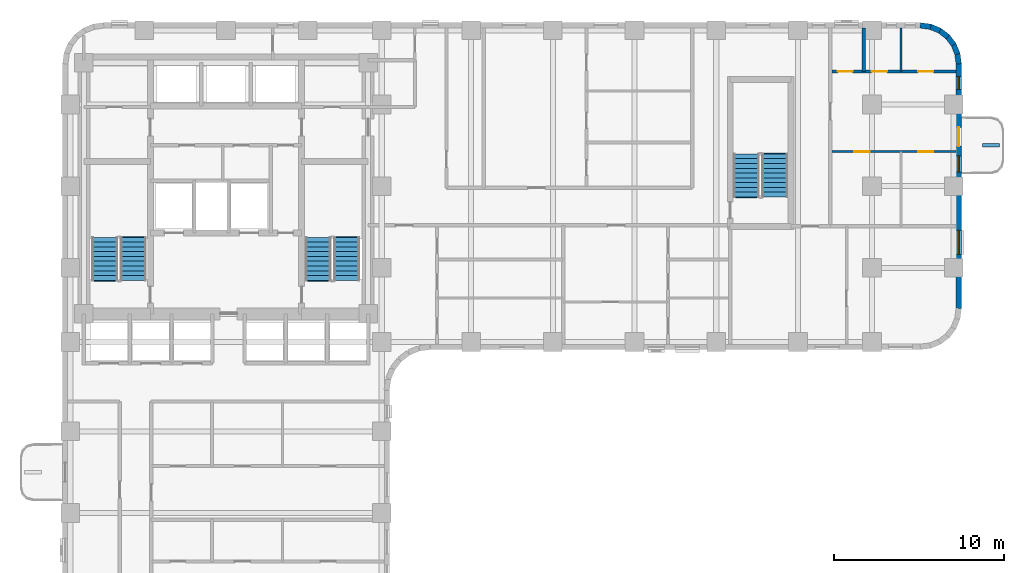
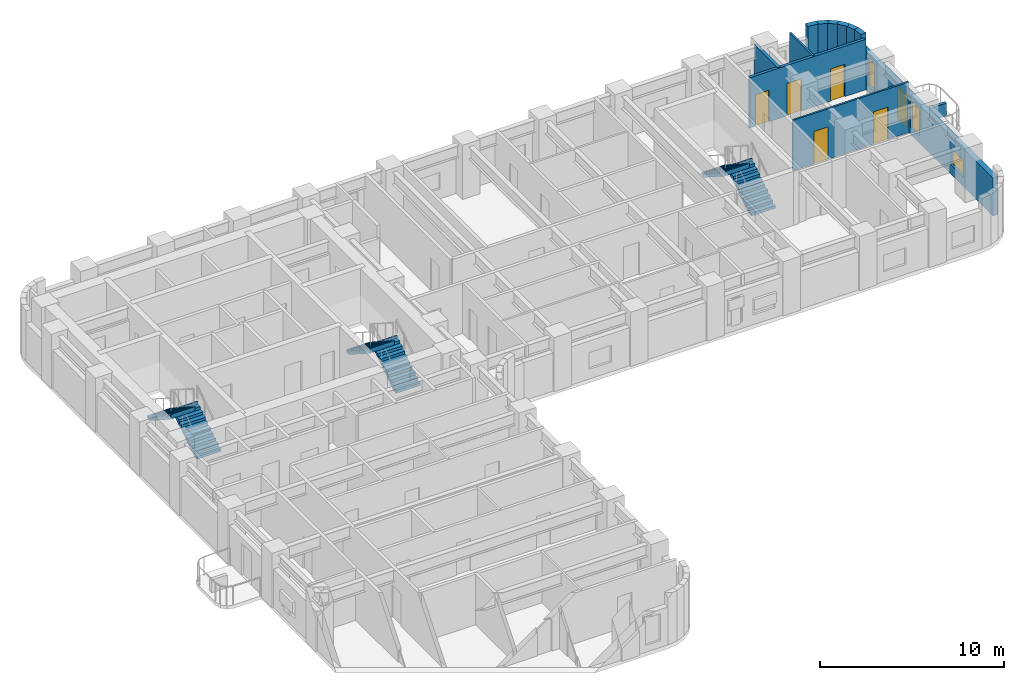
# One storey, part 7 of 10: 12 walls, 6 doors, 6 stair flights, 3 windows, 9 openings, 3 elements without a shape of their own.
"""IFC4 building model written with IfcOpenShell, lengths in metres."""

from ifc_helpers import new_model, si_unit, direction, frame, frame_2d, origin, place, context, subcontext, project, spatial, polyline, rectangle, outline, extrude, material, layer, layer_set, type_object, element, fill, aggregate, save


model = new_model("IFC4")

# Units and contexts
model_context = context("Model", 3, precision=1e-05, world=origin(), true_north=direction((0.0, 1.0)))
body_context = subcontext(model_context, "Body", "Model", "MODEL_VIEW")
ifc_project = project(units=[si_unit("LENGTHUNIT", "METRE"), si_unit("AREAUNIT", "SQUARE_METRE"), si_unit("VOLUMEUNIT", "CUBIC_METRE"), si_unit("PLANEANGLEUNIT", "RADIAN"), si_unit("MASSUNIT", "GRAM", prefix="KILO")], contexts=[model_context])

# Site, building, storey
site_placement = place(None, origin())
site = spatial("IfcSite", under=ifc_project, at=site_placement, CompositionType="ELEMENT")
building_placement = place(site_placement, origin())
building = spatial("IfcBuilding", under=site, at=building_placement, Name="Orvandelia Arch Residences", CompositionType="ELEMENT")
storey_placement = place(building_placement, frame((0.0, 0.0, 68.199951171875)))
storey = spatial("IfcBuildingStorey", under=building, at=storey_placement, Name="L17", CompositionType="ELEMENT", Elevation=68.199951171875)

# Walls
ifc_material_1 = material(Name="Precast concrete C40/50", Category="concrete")
ifc_layer_1 = layer(ifc_material_1, 0.320068359375, Name="Precast concrete C40/50", Category="concrete")
ifc_layer_set_1 = layer_set([ifc_layer_1], Name="Precast concrete C40/50")
wall_type_1 = type_object("IfcWallType", Name="WL-EXT-STONE-320", PredefinedType="STANDARD", material=ifc_layer_set_1)
for number, where, z_axis, x_axis, name in (
    (1, (55.17919921875, 47.84130859375, 0.0), (0.0, 0.0, 1.0), (0.9914410257, -0.130555323746, 0.0), "Coral-Limestone Precast Facade Wall L17-008"),
    (2, (55.760009765625, 47.7705078125, 0.0), (0.0, 0.0, 1.0), (0.92389335771, -0.382650053678, 0.0), "Coral-Limestone Precast Facade Wall L17-009"),
):
    element("IfcWall", number, at=place(storey_placement, frame(where, z_axis=z_axis, x_axis=x_axis)), inside=storey, type_object=wall_type_1, Name=name, PredefinedType="STANDARD", context=body_context, shape_type="SweptSolid", body=[
        extrude(rectangle(XDim=0.62646484375, YDim=0.320068359375, at=frame_2d((0.313232421875, 0.0))), origin(), (0.0, 0.0, 1.0), 3.35009765625),
    ])
wall_1_placement = place(storey_placement, frame((56.302490234375, 47.551513671875, 0.0), z_axis=(0.0, 0.0, 1.0), x_axis=(0.793549926411, -0.608505147302, 0.0)))
element("IfcWall", 3, at=wall_1_placement, inside=storey, type_object=wall_type_1, Name="Coral-Limestone Precast Facade Wall L17-010", PredefinedType="STANDARD", context=body_context, shape_type="SweptSolid", body=[
    extrude(rectangle(XDim=0.626708984375, YDim=0.320068359375, at=frame_2d((0.3134765625, 0.0))), origin(), (0.0, 0.0, 1.0), 3.35009765625),
])
for number, where, z_axis, x_axis, name in (
    (4, (56.770263671875, 47.19970703125, 0.0), (0.0, 0.0, 1.0), (0.608693302629, -0.793405610854, 0.0), "Coral-Limestone Precast Facade Wall L17-011"),
    (5, (57.130615234375, 46.73876953125, 0.0), (0.0, 0.0, 1.0), (0.382650053678, -0.92389335771, 0.0), "Coral-Limestone Precast Facade Wall L17-012"),
    (6, (57.359619140625, 46.2001953125, 0.0), (0.0, 0.0, 1.0), (0.130555323746, -0.9914410257, 0.0), "Coral-Limestone Precast Facade Wall L17-013"),
):
    element("IfcWall", number, at=place(storey_placement, frame(where, z_axis=z_axis, x_axis=x_axis)), inside=storey, type_object=wall_type_1, Name=name, PredefinedType="STANDARD", context=body_context, shape_type="SweptSolid", body=[
        extrude(rectangle(XDim=0.62646484375, YDim=0.320068359375, at=frame_2d((0.313232421875, 0.0))), origin(), (0.0, 0.0, 1.0), 3.35009765625),
    ])

# Wall, openings, door, windows
wall_2_placement = place(storey_placement, frame((57.43994140625, 45.60009765625, 0.0), z_axis=(0.0, 0.0, 1.0), x_axis=(0.0, -1.0, 0.0)))
wall_2 = element("IfcWall", 7, at=wall_2_placement, inside=storey, type_object=wall_type_1, Name="Coral-Limestone Precast Facade Wall L17-014", PredefinedType="STANDARD", context=body_context, shape_type="SweptSolid", body=[
    extrude(rectangle(XDim=14.400146484375, YDim=0.320068359375, at=frame_2d((7.2001953125, 0.0))), origin(), (0.0, 0.0, 1.0), 2.530029296875),
])
opening_1_placement = place(wall_2_placement, frame((3.75, 0.0, 0.0)))
opening_1 = element("IfcOpeningElement", 8, at=opening_1_placement, cuts=wall_2, Name="Opening BD1", PredefinedType="OPENING", context=body_context, shape_type="SweptSolid", body=[
    extrude(rectangle(XDim=1.10009765625, YDim=2.14990234375, at=frame_2d((0.550048828125, 1.074951171875))), frame((0.0, 0.169921875, 0.0), z_axis=(0.0, -1.0, 0.0), x_axis=(1.0, 0.0, 0.0)), (0.0, 0.0, 1.0), 0.340087890625),
])
opening_2_placement = place(wall_2_placement, frame((5.427978515625, 0.0, 0.449951171875)))
opening_2 = element("IfcOpeningElement", 9, at=opening_2_placement, cuts=wall_2, Name="Opening W4", PredefinedType="OPENING", context=body_context, shape_type="SweptSolid", body=[
    extrude(rectangle(XDim=0.949951171875, YDim=1.800048828125, at=frame_2d((0.47509765625, 0.89990234375))), frame((0.0, 0.169921875, 0.0), z_axis=(0.0, -1.0, 0.0), x_axis=(1.0, 0.0, 0.0)), (0.0, 0.0, 1.0), 0.340087890625),
])
opening_3_placement = place(wall_2_placement, frame((9.800048828125, 0.0, 0.64990234375)))
opening_3 = element("IfcOpeningElement", 10, at=opening_3_placement, cuts=wall_2, Name="Opening W10", PredefinedType="OPENING", context=body_context, shape_type="SweptSolid", body=[
    extrude(rectangle(XDim=1.39990234375, YDim=1.10009765625, at=frame_2d((0.699951171875, 0.550048828125))), frame((0.0, 0.169921875, 0.0), z_axis=(0.0, -1.0, 0.0), x_axis=(1.0, 0.0, 0.0)), (0.0, 0.0, 1.0), 0.340087890625),
])
opening_4_placement = place(wall_2_placement, frame((0.7705078125, 0.0, 0.449951171875)))
opening_4 = element("IfcOpeningElement", 11, at=opening_4_placement, cuts=wall_2, Name="Opening W11", PredefinedType="OPENING", context=body_context, shape_type="SweptSolid", body=[
    extrude(rectangle(XDim=0.75, YDim=1.800048828125, at=frame_2d((0.375, 0.89990234375))), frame((0.0, 0.169921875, 0.0), z_axis=(0.0, -1.0, 0.0), x_axis=(1.0, 0.0, 0.0)), (0.0, 0.0, 1.0), 0.340087890625),
])
ifc_material_2 = material(Name="Thermally Broken Aluminium Glazed Door", Category="aluminium")
door_type_1 = type_object("IfcDoorType", Name="DR-BAL-GLAZ-1100", OperationType="NOTDEFINED", PredefinedType="DOOR", material=ifc_material_2)
door_1_placement = place(opening_1_placement, origin())
door_1 = element("IfcDoor", 12, at=door_1_placement, inside=storey, type_object=door_type_1, Name="Tree Balcony Glazed Door BAL-L17-E1", OperationType="SINGLE_SWING_LEFT", OverallHeight=2.14990234375, OverallWidth=1.10009765625, PredefinedType="DOOR", context=body_context, shape_type="SweptSolid", body=[
    extrude(rectangle(XDim=1.10009765625, YDim=2.14990234375, at=frame_2d((0.550048828125, 1.074951171875))), frame((0.0, 0.02490234375, 0.0), z_axis=(0.0, -1.0, 0.0), x_axis=(1.0, 0.0, 0.0)), (0.0, 0.0, 1.0), 0.050048828125),
])
fill(opening_1, door_1)
ifc_material_3 = material(Name="Tempered Low-E Insulated Glazing", Category="glass")
window_type_1 = type_object("IfcWindowType", Name="WIN-BED-0750x1800", PartitioningType="SINGLE_PANEL", PredefinedType="WINDOW", material=ifc_material_3)
window_1_placement = place(opening_4_placement, origin())
window_1 = element("IfcWindow", 13, at=window_1_placement, inside=storey, type_object=window_type_1, Name="Recessed Punched Window L17-013", OverallHeight=1.800048828125, OverallWidth=0.75, PartitioningType="SINGLE_PANEL", PredefinedType="WINDOW", context=body_context, shape_type="SweptSolid", body=[
    extrude(rectangle(XDim=0.75, YDim=1.800048828125, at=frame_2d((0.375, 0.89990234375))), frame((0.0, 0.030029296875, 0.0), z_axis=(0.0, -1.0, 0.0), x_axis=(1.0, 0.0, 0.0)), (0.0, 0.0, 1.0), 0.06005859375),
])
fill(opening_4, window_1)
window_type_2 = type_object("IfcWindowType", Name="WIN-CLR-1400x1100", PartitioningType="SINGLE_PANEL", PredefinedType="WINDOW", material=ifc_material_3)
window_2_placement = place(opening_3_placement, origin())
window_2 = element("IfcWindow", 14, at=window_2_placement, inside=storey, type_object=window_type_2, Name="Recessed Punched Window L17-012", OverallHeight=1.10009765625, OverallWidth=1.39990234375, PartitioningType="SINGLE_PANEL", PredefinedType="WINDOW", context=body_context, shape_type="SweptSolid", body=[
    extrude(rectangle(XDim=1.39990234375, YDim=1.10009765625, at=frame_2d((0.699951171875, 0.550048828125))), frame((0.0, 0.030029296875, 0.0), z_axis=(0.0, -1.0, 0.0), x_axis=(1.0, 0.0, 0.0)), (0.0, 0.0, 1.0), 0.06005859375),
])
fill(opening_3, window_2)
window_type_3 = type_object("IfcWindowType", Name="WIN-RES-0950x1800", PartitioningType="SINGLE_PANEL", PredefinedType="WINDOW", material=ifc_material_3)
window_3_placement = place(opening_2_placement, origin())
window_3 = element("IfcWindow", 15, at=window_3_placement, inside=storey, type_object=window_type_3, Name="Recessed Punched Window L17-011", OverallHeight=1.800048828125, OverallWidth=0.949951171875, PartitioningType="SINGLE_PANEL", PredefinedType="WINDOW", context=body_context, shape_type="SweptSolid", body=[
    extrude(rectangle(XDim=0.949951171875, YDim=1.800048828125, at=frame_2d((0.47509765625, 0.89990234375))), frame((0.0, 0.030029296875, 0.0), z_axis=(0.0, -1.0, 0.0), x_axis=(1.0, 0.0, 0.0)), (0.0, 0.0, 1.0), 0.06005859375),
])
fill(opening_2, window_3)

# Wall, openings, doors
ifc_material_4 = material(Name="Lightweight Gypsum Stud Partition")
ifc_layer_2 = layer(ifc_material_4, 0.1201171875, Name="Lightweight Gypsum Stud Partition")
ifc_layer_set_2 = layer_set([ifc_layer_2], Name="Lightweight Gypsum Stud Partition")
wall_type_2 = type_object("IfcWallType", Name="WL-PART-120", PredefinedType="PARTITIONING", material=ifc_layer_set_2)
wall_3_placement = place(storey_placement, frame((50.0, 40.424072265625, 0.0), z_axis=(0.0, 0.0, 1.0), x_axis=(1.0, 0.0, 0.0)))
wall_3 = element("IfcWall", 16, at=wall_3_placement, inside=storey, type_object=wall_type_2, Name="Interior Partition Wall WL-L17-U07-HB", PredefinedType="PARTITIONING", context=body_context, shape_type="SweptSolid", body=[
    extrude(rectangle(XDim=7.280029296875, YDim=0.1201171875, at=frame_2d((3.64013671875, 0.0))), origin(), (0.0, 0.0, 1.0), 3.35009765625),
])
opening_5_placement = place(wall_3_placement, frame((1.30419921875, 0.0, 0.0)))
opening_5 = element("IfcOpeningElement", 17, at=opening_5_placement, cuts=wall_3, Name="Opening D3", PredefinedType="OPENING", context=body_context, shape_type="SweptSolid", body=[
    extrude(rectangle(XDim=0.89990234375, YDim=2.14990234375, at=frame_2d((0.449951171875, 1.074951171875))), frame((0.0, 0.070068359375, 0.0), z_axis=(0.0, -1.0, 0.0), x_axis=(1.0, 0.0, 0.0)), (0.0, 0.0, 1.0), 0.14013671875),
])
opening_6_placement = place(wall_3_placement, frame((5.056884765625, 0.0, 0.0)))
opening_6 = element("IfcOpeningElement", 18, at=opening_6_placement, cuts=wall_3, Name="Opening D3", PredefinedType="OPENING", context=body_context, shape_type="SweptSolid", body=[
    extrude(rectangle(XDim=0.89990234375, YDim=2.14990234375, at=frame_2d((0.449951171875, 1.074951171875))), frame((0.0, 0.070068359375, 0.0), z_axis=(0.0, -1.0, 0.0), x_axis=(1.0, 0.0, 0.0)), (0.0, 0.0, 1.0), 0.14013671875),
])
ifc_material_5 = material(Name="Engineered Timber Flush Door", Category="wood")
door_type_2 = type_object("IfcDoorType", Name="DR-INT-900", OperationType="NOTDEFINED", PredefinedType="DOOR", material=ifc_material_5)
door_2_placement = place(opening_5_placement, origin())
door_2 = element("IfcDoor", 19, at=door_2_placement, inside=storey, type_object=door_type_2, Name="DR-L17-U07-STDY", OperationType="SINGLE_SWING_LEFT", OverallHeight=2.14990234375, OverallWidth=0.89990234375, PredefinedType="DOOR", context=body_context, shape_type="SweptSolid", body=[
    extrude(rectangle(XDim=0.89990234375, YDim=2.14990234375, at=frame_2d((0.449951171875, 1.074951171875))), frame((0.0, 0.02490234375, 0.0), z_axis=(0.0, -1.0, 0.0), x_axis=(1.0, 0.0, 0.0)), (0.0, 0.0, 1.0), 0.050048828125),
])
fill(opening_5, door_2)
door_3_placement = place(opening_6_placement, origin())
door_3 = element("IfcDoor", 20, at=door_3_placement, inside=storey, type_object=door_type_2, Name="DR-L17-U07-BD2", OperationType="SINGLE_SWING_RIGHT", OverallHeight=2.14990234375, OverallWidth=0.89990234375, PredefinedType="DOOR", context=body_context, shape_type="SweptSolid", body=[
    extrude(rectangle(XDim=0.89990234375, YDim=2.14990234375, at=frame_2d((0.449951171875, 1.074951171875))), frame((0.0, 0.02490234375, 0.0), z_axis=(0.0, -1.0, 0.0), x_axis=(1.0, 0.0, 0.0)), (0.0, 0.0, 1.0), 0.050048828125),
])
fill(opening_6, door_3)

# Walls
wall_4_placement = place(storey_placement, frame((54.048095703125, 45.138916015625, 0.0), z_axis=(0.0, 0.0, 1.0), x_axis=(0.0, 1.0, 0.0)))
element("IfcWall", 21, at=wall_4_placement, inside=storey, type_object=wall_type_2, Name="Interior Partition Wall WL-L17-U07-V2", PredefinedType="PARTITIONING", context=body_context, shape_type="SweptSolid", body=[
    extrude(rectangle(XDim=2.541015625, YDim=0.1201171875, at=frame_2d((1.2705078125, 0.0))), origin(), (0.0, 0.0, 1.0), 3.35009765625),
])
ifc_layer_3 = layer(ifc_material_1, 0.199951171875, Name="Precast concrete C40/50", Category="concrete")
ifc_layer_set_3 = layer_set([ifc_layer_3], Name="Precast concrete C40/50")
wall_type_3 = type_object("IfcWallType", Name="WL-PLANTER-200", PredefinedType="MOVABLE", material=ifc_layer_set_3)
wall_5_placement = place(storey_placement, frame((58.85009765625, 40.800048828125, 0.0), z_axis=(0.0, 0.0, 1.0), x_axis=(1.0, 0.0, 0.0)))
element("IfcWall", 22, at=wall_5_placement, inside=storey, type_object=wall_type_3, Name="Balcony Precast Tree Planter BAL-L17-E1", PredefinedType="MOVABLE", context=body_context, shape_type="SweptSolid", body=[
    extrude(rectangle(XDim=1.0, YDim=0.199951171875, at=frame_2d((0.5, 0.0))), origin(), (0.0, 0.0, 1.0), 0.85009765625),
])

# Wall, openings, doors
ifc_material_6 = material(Name="Moisture-Resistant Plumbing Wall")
ifc_layer_4 = layer(ifc_material_6, 0.179931640625, Name="Moisture-Resistant Plumbing Wall")
ifc_layer_set_4 = layer_set([ifc_layer_4], Name="Moisture-Resistant Plumbing Wall")
wall_type_4 = type_object("IfcWallType", Name="WL-WET-180", PredefinedType="PLUMBINGWALL", material=ifc_layer_set_4)
wall_6_placement = place(storey_placement, frame((50.0, 45.138916015625, 0.0), z_axis=(0.0, 0.0, 1.0), x_axis=(1.0, 0.0, 0.0)))
wall_6 = element("IfcWall", 23, at=wall_6_placement, inside=storey, type_object=wall_type_4, Name="Interior Partition Wall WL-L17-U07-HZ", PredefinedType="PLUMBINGWALL", context=body_context, shape_type="SweptSolid", body=[
    extrude(rectangle(XDim=7.280029296875, YDim=0.179931640625, at=frame_2d((3.64013671875, 0.0))), origin(), (0.0, 0.0, 1.0), 3.35009765625),
])
opening_7_placement = place(wall_6_placement, frame((0.343017578125, 0.0, 0.0)))
opening_7 = element("IfcOpeningElement", 24, at=opening_7_placement, cuts=wall_6, Name="Opening D4", PredefinedType="OPENING", context=body_context, shape_type="SweptSolid", body=[
    extrude(rectangle(XDim=0.860107421875, YDim=2.10009765625, at=frame_2d((0.43017578125, 1.050048828125))), frame((0.0, 0.10009765625, 0.0), z_axis=(0.0, -1.0, 0.0), x_axis=(1.0, 0.0, 0.0)), (0.0, 0.0, 1.0), 0.199951171875),
])
opening_8_placement = place(wall_6_placement, frame((2.328125, 0.0, 0.0)))
opening_8 = element("IfcOpeningElement", 25, at=opening_8_placement, cuts=wall_6, Name="Opening D3", PredefinedType="OPENING", context=body_context, shape_type="SweptSolid", body=[
    extrude(rectangle(XDim=0.89990234375, YDim=2.14990234375, at=frame_2d((0.449951171875, 1.074951171875))), frame((0.0, 0.10009765625, 0.0), z_axis=(0.0, -1.0, 0.0), x_axis=(1.0, 0.0, 0.0)), (0.0, 0.0, 1.0), 0.199951171875),
])
opening_9_placement = place(wall_6_placement, frame((5.056884765625, 0.0, 0.0)))
opening_9 = element("IfcOpeningElement", 26, at=opening_9_placement, cuts=wall_6, Name="Opening D3", PredefinedType="OPENING", context=body_context, shape_type="SweptSolid", body=[
    extrude(rectangle(XDim=0.89990234375, YDim=2.14990234375, at=frame_2d((0.449951171875, 1.074951171875))), frame((0.0, 0.10009765625, 0.0), z_axis=(0.0, -1.0, 0.0), x_axis=(1.0, 0.0, 0.0)), (0.0, 0.0, 1.0), 0.199951171875),
])
door_4_placement = place(opening_8_placement, origin())
door_4 = element("IfcDoor", 27, at=door_4_placement, inside=storey, type_object=door_type_2, Name="DR-L17-U07-KIT", OperationType="SINGLE_SWING_LEFT", OverallHeight=2.14990234375, OverallWidth=0.89990234375, PredefinedType="DOOR", context=body_context, shape_type="SweptSolid", body=[
    extrude(rectangle(XDim=0.89990234375, YDim=2.14990234375, at=frame_2d((0.449951171875, 1.074951171875))), frame((0.0, 0.02490234375, 0.0), z_axis=(0.0, -1.0, 0.0), x_axis=(1.0, 0.0, 0.0)), (0.0, 0.0, 1.0), 0.050048828125),
])
fill(opening_8, door_4)
door_5_placement = place(opening_9_placement, origin())
door_5 = element("IfcDoor", 28, at=door_5_placement, inside=storey, type_object=door_type_2, Name="DR-L17-U07-BD1", OperationType="SINGLE_SWING_RIGHT", OverallHeight=2.14990234375, OverallWidth=0.89990234375, PredefinedType="DOOR", context=body_context, shape_type="SweptSolid", body=[
    extrude(rectangle(XDim=0.89990234375, YDim=2.14990234375, at=frame_2d((0.449951171875, 1.074951171875))), frame((0.0, 0.02490234375, 0.0), z_axis=(0.0, -1.0, 0.0), x_axis=(1.0, 0.0, 0.0)), (0.0, 0.0, 1.0), 0.050048828125),
])
fill(opening_9, door_5)
ifc_material_7 = material(Name="Moisture-Sealed Timber Bathroom Door", Category="wood")
door_type_3 = type_object("IfcDoorType", Name="DR-WET-900", OperationType="NOTDEFINED", PredefinedType="DOOR", material=ifc_material_7)
door_6_placement = place(opening_7_placement, origin())
door_6 = element("IfcDoor", 29, at=door_6_placement, inside=storey, type_object=door_type_3, Name="DR-L17-U07-BTH", OperationType="SINGLE_SWING_RIGHT", OverallHeight=2.10009765625, OverallWidth=0.860107421875, PredefinedType="DOOR", context=body_context, shape_type="SweptSolid", body=[
    extrude(rectangle(XDim=0.860107421875, YDim=2.10009765625, at=frame_2d((0.43017578125, 1.050048828125))), frame((0.0, 0.02490234375, 0.0), z_axis=(0.0, -1.0, 0.0), x_axis=(1.0, 0.0, 0.0)), (0.0, 0.0, 1.0), 0.050048828125),
])
fill(opening_7, door_6)

# Wall
wall_7_placement = place(storey_placement, frame((51.862060546875, 45.138916015625, 0.0), z_axis=(0.0, 0.0, 1.0), x_axis=(0.0, 1.0, 0.0)))
element("IfcWall", 30, at=wall_7_placement, inside=storey, type_object=wall_type_4, Name="Interior Partition Wall WL-L17-U07-V1", PredefinedType="PLUMBINGWALL", context=body_context, shape_type="SweptSolid", body=[
    extrude(rectangle(XDim=2.541015625, YDim=0.179931640625, at=frame_2d((1.2705078125, 0.0))), origin(), (0.0, 0.0, 1.0), 3.35009765625),
])

# Stair, stair flights
ifc_material_8 = material(Name="Concrete C40/50", Category="concrete")
stair_type = type_object("IfcStairType", Name="STAIR-RC-DOGLEG", PredefinedType="HALF_TURN_STAIR", material=ifc_material_8)
stair_1_placement = place(storey_placement, origin())
stair_1 = element("IfcStair", 31, at=stair_1_placement, inside=storey, type_object=stair_type, Name="L17 Protected Exit Stair ST-1", PredefinedType="HALF_TURN_STAIR")
stair_flight_type = type_object("IfcStairFlightType", Name="STFLT-RC-1520", PredefinedType="STRAIGHT", material=ifc_material_8)
stair_flight_1_placement = place(storey_placement, frame((8.9599609375, 32.8701171875, 0.0), z_axis=(0.0, 0.0, 1.0), x_axis=(0.0, 1.0, 0.0)))
stair_flight_1 = element("IfcStairFlight", 32, at=stair_flight_1_placement, type_object=stair_flight_type, Name="ST-1 flight 1", NumberOfRisers=10, NumberOfTreads=9, PredefinedType="STRAIGHT", RiserHeight=0.18, TreadLength=0.28, context=body_context, shape_type="SweptSolid", body=[
    extrude(outline(polyline([(0.0, 0.0), (0.0, 0.179931640625), (0.280029296875, 0.179931640625), (0.280029296875, 0.360107421875), (0.56005859375, 0.360107421875), (0.56005859375, 0.5400390625), (0.840087890625, 0.5400390625), (0.840087890625, 0.719970703125), (1.1201171875, 0.719970703125), (1.1201171875, 0.89990234375), (1.39990234375, 0.89990234375), (1.39990234375, 1.080078125), (1.679931640625, 1.080078125), (1.679931640625, 1.260009765625), (1.9599609375, 1.260009765625), (1.9599609375, 1.43994140625), (2.239990234375, 1.43994140625), (2.239990234375, 1.6201171875), (2.52001953125, 1.6201171875), (2.52001953125, 1.800048828125), (2.580078125, 1.800048828125), (2.580078125, 1.6201171875), (2.52001953125, 1.44189453125), (0.277099609375, 0.0), (0.0, 0.0)])), frame((0.0, 0.760009765625, 0.0), z_axis=(0.0, -1.0, 0.0), x_axis=(1.0, 0.0, 0.0)), (0.0, 0.0, 1.0), 1.52001953125),
])
stair_flight_2_placement = place(storey_placement, frame((7.2900390625, 35.389892578125, 1.800048828125), z_axis=(0.0, 0.0, 1.0), x_axis=(0.0, -1.0, 0.0)))
stair_flight_2 = element("IfcStairFlight", 33, at=stair_flight_2_placement, type_object=stair_flight_type, Name="ST-1 flight 2", NumberOfRisers=10, NumberOfTreads=9, PredefinedType="STRAIGHT", RiserHeight=0.18, TreadLength=0.28, context=body_context, shape_type="SweptSolid", body=[
    extrude(outline(polyline([(0.0, 0.0), (0.0, 0.179931640625), (0.280029296875, 0.179931640625), (0.280029296875, 0.360107421875), (0.56005859375, 0.360107421875), (0.56005859375, 0.5400390625), (0.840087890625, 0.5400390625), (0.840087890625, 0.719970703125), (1.1201171875, 0.719970703125), (1.1201171875, 0.89990234375), (1.39990234375, 0.89990234375), (1.39990234375, 1.080078125), (1.679931640625, 1.080078125), (1.679931640625, 1.260009765625), (1.9599609375, 1.260009765625), (1.9599609375, 1.43994140625), (2.239990234375, 1.43994140625), (2.239990234375, 1.6201171875), (2.52001953125, 1.6201171875), (2.52001953125, 1.800048828125), (2.580078125, 1.800048828125), (2.580078125, 1.6201171875), (2.52001953125, 1.44189453125), (0.277099609375, 0.0), (0.0, 0.0)])), frame((0.0, 0.760009765625, 0.0), z_axis=(0.0, -1.0, 0.0), x_axis=(1.0, 0.0, 0.0)), (0.0, 0.0, 1.0), 1.52001953125),
])
aggregate(stair_1, [stair_flight_1, stair_flight_2])

stair_2_placement = place(storey_placement, origin())
stair_2 = element("IfcStair", 34, at=stair_2_placement, inside=storey, type_object=stair_type, Name="L17 Protected Exit Stair ST-2", PredefinedType="HALF_TURN_STAIR")
stair_flight_3_placement = place(storey_placement, frame((21.489990234375, 32.8701171875, 0.0), z_axis=(0.0, 0.0, 1.0), x_axis=(0.0, 1.0, 0.0)))
stair_flight_3 = element("IfcStairFlight", 35, at=stair_flight_3_placement, type_object=stair_flight_type, Name="ST-2 flight 1", NumberOfRisers=10, NumberOfTreads=9, PredefinedType="STRAIGHT", RiserHeight=0.18, TreadLength=0.28, context=body_context, shape_type="SweptSolid", body=[
    extrude(outline(polyline([(0.0, 0.0), (0.0, 0.179931640625), (0.280029296875, 0.179931640625), (0.280029296875, 0.360107421875), (0.56005859375, 0.360107421875), (0.56005859375, 0.5400390625), (0.840087890625, 0.5400390625), (0.840087890625, 0.719970703125), (1.1201171875, 0.719970703125), (1.1201171875, 0.89990234375), (1.39990234375, 0.89990234375), (1.39990234375, 1.080078125), (1.679931640625, 1.080078125), (1.679931640625, 1.260009765625), (1.9599609375, 1.260009765625), (1.9599609375, 1.43994140625), (2.239990234375, 1.43994140625), (2.239990234375, 1.6201171875), (2.52001953125, 1.6201171875), (2.52001953125, 1.800048828125), (2.580078125, 1.800048828125), (2.580078125, 1.6201171875), (2.52001953125, 1.44189453125), (0.277099609375, 0.0), (0.0, 0.0)])), frame((0.0, 0.760009765625, 0.0), z_axis=(0.0, -1.0, 0.0), x_axis=(1.0, 0.0, 0.0)), (0.0, 0.0, 1.0), 1.52001953125),
])
stair_flight_4_placement = place(storey_placement, frame((19.820068359375, 35.389892578125, 1.800048828125), z_axis=(0.0, 0.0, 1.0), x_axis=(0.0, -1.0, 0.0)))
stair_flight_4 = element("IfcStairFlight", 36, at=stair_flight_4_placement, type_object=stair_flight_type, Name="ST-2 flight 2", NumberOfRisers=10, NumberOfTreads=9, PredefinedType="STRAIGHT", RiserHeight=0.18, TreadLength=0.28, context=body_context, shape_type="SweptSolid", body=[
    extrude(outline(polyline([(0.0, 0.0), (0.0, 0.179931640625), (0.280029296875, 0.179931640625), (0.280029296875, 0.360107421875), (0.56005859375, 0.360107421875), (0.56005859375, 0.5400390625), (0.840087890625, 0.5400390625), (0.840087890625, 0.719970703125), (1.1201171875, 0.719970703125), (1.1201171875, 0.89990234375), (1.39990234375, 0.89990234375), (1.39990234375, 1.080078125), (1.679931640625, 1.080078125), (1.679931640625, 1.260009765625), (1.9599609375, 1.260009765625), (1.9599609375, 1.43994140625), (2.239990234375, 1.43994140625), (2.239990234375, 1.6201171875), (2.52001953125, 1.6201171875), (2.52001953125, 1.800048828125), (2.580078125, 1.800048828125), (2.580078125, 1.6201171875), (2.52001953125, 1.44189453125), (0.277099609375, 0.0), (0.0, 0.0)])), frame((0.0, 0.760009765625, 0.0), z_axis=(0.0, -1.0, 0.0), x_axis=(1.0, 0.0, 0.0)), (0.0, 0.0, 1.0), 1.52001953125),
])
aggregate(stair_2, [stair_flight_3, stair_flight_4])

stair_3_placement = place(storey_placement, origin())
stair_3 = element("IfcStair", 37, at=stair_3_placement, inside=storey, type_object=stair_type, Name="L17 East Wing Exit Stair ST-3", PredefinedType="HALF_TURN_STAIR")
stair_flight_5_placement = place(storey_placement, frame((46.639892578125, 37.77001953125, 0.0), z_axis=(0.0, 0.0, 1.0), x_axis=(0.0, 1.0, 0.0)))
stair_flight_5 = element("IfcStairFlight", 38, at=stair_flight_5_placement, type_object=stair_flight_type, Name="ST-3 flight 1", NumberOfRisers=10, NumberOfTreads=9, PredefinedType="STRAIGHT", RiserHeight=0.18, TreadLength=0.28, context=body_context, shape_type="SweptSolid", body=[
    extrude(outline(polyline([(0.0, 0.0), (0.0, 0.179931640625), (0.280029296875, 0.179931640625), (0.280029296875, 0.360107421875), (0.56005859375, 0.360107421875), (0.56005859375, 0.5400390625), (0.840087890625, 0.5400390625), (0.840087890625, 0.719970703125), (1.1201171875, 0.719970703125), (1.1201171875, 0.89990234375), (1.39990234375, 0.89990234375), (1.39990234375, 1.080078125), (1.679931640625, 1.080078125), (1.679931640625, 1.260009765625), (1.9599609375, 1.260009765625), (1.9599609375, 1.43994140625), (2.239990234375, 1.43994140625), (2.239990234375, 1.6201171875), (2.52001953125, 1.6201171875), (2.52001953125, 1.800048828125), (2.580078125, 1.800048828125), (2.580078125, 1.6201171875), (2.52001953125, 1.44189453125), (0.277099609375, 0.0), (0.0, 0.0)])), frame((0.0, 0.760009765625, 0.0), z_axis=(0.0, -1.0, 0.0), x_axis=(1.0, 0.0, 0.0)), (0.0, 0.0, 1.0), 1.52001953125),
])
stair_flight_6_placement = place(storey_placement, frame((44.969970703125, 40.2900390625, 1.800048828125), z_axis=(0.0, 0.0, 1.0), x_axis=(0.0, -1.0, 0.0)))
stair_flight_6 = element("IfcStairFlight", 39, at=stair_flight_6_placement, type_object=stair_flight_type, Name="ST-3 flight 2", NumberOfRisers=10, NumberOfTreads=9, PredefinedType="STRAIGHT", RiserHeight=0.18, TreadLength=0.28, context=body_context, shape_type="SweptSolid", body=[
    extrude(outline(polyline([(0.0, 0.0), (0.0, 0.179931640625), (0.280029296875, 0.179931640625), (0.280029296875, 0.360107421875), (0.56005859375, 0.360107421875), (0.56005859375, 0.5400390625), (0.840087890625, 0.5400390625), (0.840087890625, 0.719970703125), (1.1201171875, 0.719970703125), (1.1201171875, 0.89990234375), (1.39990234375, 0.89990234375), (1.39990234375, 1.080078125), (1.679931640625, 1.080078125), (1.679931640625, 1.260009765625), (1.9599609375, 1.260009765625), (1.9599609375, 1.43994140625), (2.239990234375, 1.43994140625), (2.239990234375, 1.6201171875), (2.52001953125, 1.6201171875), (2.52001953125, 1.800048828125), (2.580078125, 1.800048828125), (2.580078125, 1.6201171875), (2.52001953125, 1.44189453125), (0.277099609375, 0.0), (0.0, 0.0)])), frame((0.0, 0.760009765625, 0.0), z_axis=(0.0, -1.0, 0.0), x_axis=(1.0, 0.0, 0.0)), (0.0, 0.0, 1.0), 1.52001953125),
])
aggregate(stair_3, [stair_flight_5, stair_flight_6])

save(model, "model.ifc")
